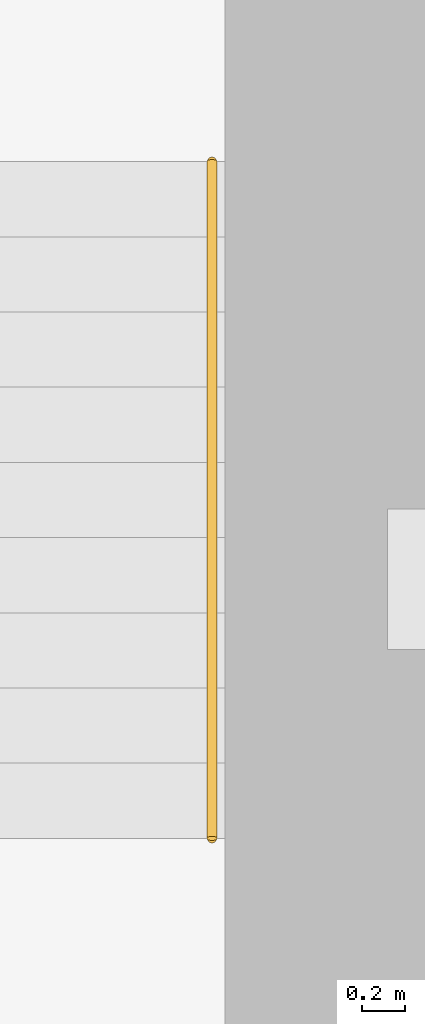
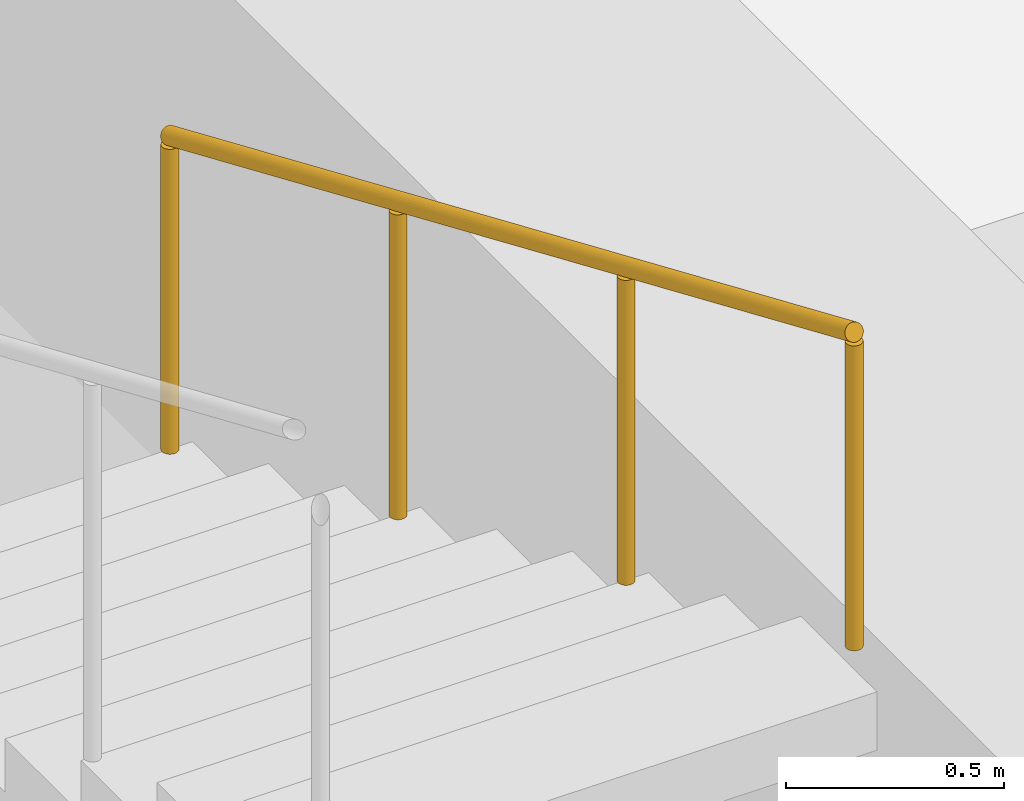
# One storey, part 10 of 10: 1 railing.
"""IFC4 building model written with IfcOpenShell, lengths in metres."""

import ifcopenshell
import ifcopenshell.guid

model = None  # the IFC model being written
_history = None  # IfcOwnerHistory: only IFC2X3 demands one
_inside = {}  # id of a spatial element -> (the spatial element, [elements in it])
_under = {}  # id of a project, library or spatial element -> (it, [spatial elements below it])
_declared = {}  # id of a project -> (the project, [libraries it declares])
_typed = {}  # id of a type object -> (the type object, [elements of that type])
_made_of = {}  # id of a material, layer set ... -> (it, [elements and type objects made of it])


def new_model(schema):
    """Start an empty IFC model of exactly this schema.

    Asked for "IFC4X3", IfcOpenShell would pick the latest addendum, in which some entities
    have other attributes; the version numbers below select the first issue.
    IFC2X3 requires an IfcOwnerHistory on every rooted entity: one is made here for all.
    """
    global model, _history
    if schema == "IFC4X3":
        model = ifcopenshell.file(schema_version=(4, 3, 0, 0))
    else:
        model = ifcopenshell.file(schema=schema)
    _inside.clear()
    _under.clear()
    _declared.clear()
    _typed.clear()
    _made_of.clear()
    _history = None
    if model.schema == "IFC2X3":
        org = make("IfcOrganization", Name="unknown")
        user = make(
            "IfcPersonAndOrganization",
            ThePerson=make("IfcPerson", FamilyName="unknown"),
            TheOrganization=org,
        )
        app = make(
            "IfcApplication",
            ApplicationDeveloper=org,
            Version="unknown",
            ApplicationFullName="unknown",
            ApplicationIdentifier="unknown",
        )
        _history = make(
            "IfcOwnerHistory",
            OwningUser=user,
            OwningApplication=app,
            ChangeAction="ADDED",
            CreationDate=0,
        )
    return model


def make(cls, **values):
    """One entity of the class cls with the attributes given. An attribute that is None is left unset."""
    return model.create_entity(
        cls, **{name: value for name, value in values.items() if value is not None}
    )


def rooted(cls, **values):
    """An entity with a GlobalId (a new one), such as an element, a storey or a relation."""
    return make(cls, GlobalId=ifcopenshell.guid.new(), OwnerHistory=_history, **values)


def si_unit(unit_type, name, prefix=None):
    """IfcSIUnit, for example si_unit("LENGTHUNIT", "METRE", prefix="MILLI")."""
    return make("IfcSIUnit", UnitType=unit_type, Prefix=prefix, Name=name)


def assignment(units):
    """IfcUnitAssignment: the units of a project."""
    return None if units is None else make("IfcUnitAssignment", Units=units)


def point(xyz):
    """IfcCartesianPoint."""
    return None if xyz is None else make("IfcCartesianPoint", Coordinates=xyz)


def direction(xyz):
    """IfcDirection."""
    return None if xyz is None else make("IfcDirection", DirectionRatios=xyz)


def frame(location, z_axis=None, x_axis=None):
    """IfcAxis2Placement3D, a coordinate frame: its origin and axes. An axis left out is left unset."""
    return make(
        "IfcAxis2Placement3D",
        Location=point(location),
        Axis=direction(z_axis),
        RefDirection=direction(x_axis),
    )


def frame_2d(location, x_axis=None):
    """IfcAxis2Placement2D, a coordinate frame in the plane: its origin and x axis."""
    return make(
        "IfcAxis2Placement2D", Location=point(location), RefDirection=direction(x_axis)
    )


def origin():
    """The frame at (0, 0, 0) with its axes left unset."""
    return frame((0.0, 0.0, 0.0))


def origin_2d():
    """The frame at (0, 0) in the plane with its x axis left unset."""
    return frame_2d((0.0, 0.0))


def place(relative_to, where):
    """IfcLocalPlacement: puts the frame where relative to a parent placement (None: the world)."""
    return make(
        "IfcLocalPlacement", PlacementRelTo=relative_to, RelativePlacement=where
    )


def context(
    kind, dimensions, precision=None, world=None, true_north=None, identifier=None
):
    """IfcGeometricRepresentationContext, for example the 3D "Model" context."""
    return make(
        "IfcGeometricRepresentationContext",
        ContextIdentifier=identifier,
        ContextType=kind,
        CoordinateSpaceDimension=dimensions,
        Precision=precision,
        WorldCoordinateSystem=world,
        TrueNorth=true_north,
    )


def subcontext(parent, identifier, kind, view, scale=None):
    """IfcGeometricRepresentationSubContext, for example "Body" below "Model"."""
    return make(
        "IfcGeometricRepresentationSubContext",
        ContextIdentifier=identifier,
        ContextType=kind,
        ParentContext=parent,
        TargetScale=scale,
        TargetView=view,
    )


def project(units=None, contexts=None):
    """IfcProject with its units and contexts."""
    return rooted(
        "IfcProject",
        Name="project",
        RepresentationContexts=contexts,
        UnitsInContext=assignment(units),
    )


def spatial(cls, under=None, at=None, **own):
    """A site, building, storey or space (cls), placed at a placement, below another one or the project."""
    s = rooted(cls, ObjectPlacement=at, **own)
    if under is not None:
        _under.setdefault(under.id(), (under, []))[1].append(s)
    return s


def profile(cls, at=None, kind="AREA", **sizes):
    """A parametric profile (cls). Its sizes go by their IFC names, for example OverallWidth=200.0."""
    return make(cls, ProfileType=kind, Position=at, **sizes)


def circle(**sizes):
    """IfcCircleProfileDef."""
    return profile("IfcCircleProfileDef", **sizes)


def extrude(swept, where, along, depth):
    """IfcExtrudedAreaSolid: the profile swept, set in the frame where, extruded along a direction by depth."""
    return make(
        "IfcExtrudedAreaSolid",
        SweptArea=swept,
        Position=where,
        ExtrudedDirection=direction(along),
        Depth=depth,
    )


def shape(context_of_items, identifier, shape_type, items):
    """IfcShapeRepresentation: the items that make up one representation, for example the "Body"."""
    return make(
        "IfcShapeRepresentation",
        ContextOfItems=context_of_items,
        RepresentationIdentifier=identifier,
        RepresentationType=shape_type,
        Items=items,
    )


def material(Name=None, Category=None):
    """IfcMaterial."""
    return make("IfcMaterial", Name=Name, Category=Category)


def made_of(thing, what):
    """Note that an element or type object is made of a material, layer set ...; save() writes the relation."""
    if what is not None:
        _made_of.setdefault(what.id(), (what, []))[1].append(thing)
    return thing


def type_object(cls, material=None, **own):
    """A type object (cls), such as IfcWallType, which elements share."""
    return made_of(rooted(cls, **own), material)


def element(
    cls,
    number,
    at=None,
    inside=None,
    cuts=None,
    type_object=None,
    material=None,
    context=None,
    identifier="Body",
    shape_type=None,
    held_by="IfcProductDefinitionShape",
    body=None,
    shapes=None,
    **own,
):
    """One element of the class cls, such as IfcWall. Its Tag is "e" and its number.

    at: its placement. inside: the storey or other place that contains it. cuts: it is an
    opening in that element (IfcRelVoidsElement). A single representation is given by context,
    identifier, shape_type and body (its items); several are given by shapes. held_by: the class
    of the entity that holds the representations. save() writes the other relations.
    """
    e = rooted(cls, Tag="e%d" % number, ObjectPlacement=at, **own)
    if body is not None:
        shapes = [shape(context, identifier, shape_type, body)]
    if shapes is not None:
        e.Representation = make(held_by, Representations=shapes)
    if inside is not None:
        _inside.setdefault(inside.id(), (inside, []))[1].append(e)
    if cuts is not None:
        rooted(
            "IfcRelVoidsElement", RelatingBuildingElement=cuts, RelatedOpeningElement=e
        )
    if type_object is not None:
        _typed.setdefault(type_object.id(), (type_object, []))[1].append(e)
    return made_of(e, material)


def aggregate(whole, parts):
    """IfcRelAggregates: a whole, such as a stair, and the parts it consists of."""
    return rooted("IfcRelAggregates", RelatingObject=whole, RelatedObjects=parts)


def save(model, path):
    """Write the relations noted so far, then the file.

    IfcRelAggregates (storeys below a building ...), IfcRelContainedInSpatialStructure (elements
    in a storey), IfcRelDefinesByType, IfcRelAssociatesMaterial and IfcRelDeclares: one each for
    every whole, place, type object, material and project.
    """
    for whole, parts in _under.values():
        aggregate(whole, parts)
    for where, things in _inside.values():
        rooted(
            "IfcRelContainedInSpatialStructure",
            RelatedElements=things,
            RelatingStructure=where,
        )
    for kind, things in _typed.values():
        rooted("IfcRelDefinesByType", RelatedObjects=things, RelatingType=kind)
    for what, things in _made_of.values():
        rooted("IfcRelAssociatesMaterial", RelatedObjects=things, RelatingMaterial=what)
    for by, libraries in _declared.values():
        rooted("IfcRelDeclares", RelatingContext=by, RelatedDefinitions=libraries)
    model.write(path)


model = new_model("IFC4")

# Units and contexts
model_context = context("Model", 3, precision=1e-05, world=origin(), true_north=direction((0.0, 1.0)))
body_context = subcontext(model_context, "Body", "Model", "MODEL_VIEW")
ifc_project = project(units=[si_unit("LENGTHUNIT", "METRE"), si_unit("AREAUNIT", "SQUARE_METRE"), si_unit("VOLUMEUNIT", "CUBIC_METRE"), si_unit("PLANEANGLEUNIT", "RADIAN"), si_unit("MASSUNIT", "GRAM", prefix="KILO")], contexts=[model_context])

# Site, building, storey
site_placement = place(None, origin())
site = spatial("IfcSite", under=ifc_project, at=site_placement, CompositionType="ELEMENT")
building_placement = place(site_placement, origin())
building = spatial("IfcBuilding", under=site, at=building_placement, Name="Tarangal Relay Tower", CompositionType="ELEMENT")
storey_placement = place(building_placement, frame((0.0, 0.0, 98.39990234375)))
storey = spatial("IfcBuildingStorey", under=building, at=storey_placement, Name="L19", CompositionType="ELEMENT", Elevation=98.39990234375)

# Railing
ifc_material = material(Name="Steel handrail, black finish", Category="steel")
railing_type = type_object("IfcRailingType", Name="Stair handrail 900", PredefinedType="HANDRAIL", material=ifc_material)
railing_placement = place(storey_placement, frame((10.93994140625, 9.431884765625, 4.650146484375)))
element("IfcRailing", 1, at=railing_placement, inside=storey, type_object=railing_type, Name="Stair ST-B handrail HR1 L19 flight 4", PredefinedType="HANDRAIL", context=body_context, shape_type="SweptSolid", body=[
    extrude(circle(Radius=0.02392578125, at=origin_2d()), frame((0.0, 0.0, 0.8759765625), z_axis=(0.0, -0.918332162045, 0.395810611471), x_axis=(1.0, 0.0, 0.0)), (0.0, 0.0, 1.0), 3.410400390625),
    extrude(circle(Radius=0.02099609375, at=origin_2d()), origin(), (0.0, 0.0, 1.0), 0.851806640625),
    extrude(circle(Radius=0.02099609375, at=origin_2d()), frame((0.0, -1.0439453125, 0.449951171875)), (0.0, 0.0, 1.0), 0.851806640625),
    extrude(circle(Radius=0.02099609375, at=origin_2d()), frame((0.0, -2.087890625, 0.89990234375)), (0.0, 0.0, 1.0), 0.851806640625),
    extrude(circle(Radius=0.02099609375, at=origin_2d()), frame((0.0, -3.1318359375, 1.349853515625)), (0.0, 0.0, 1.0), 0.851806640625),
])

save(model, "model.ifc")
